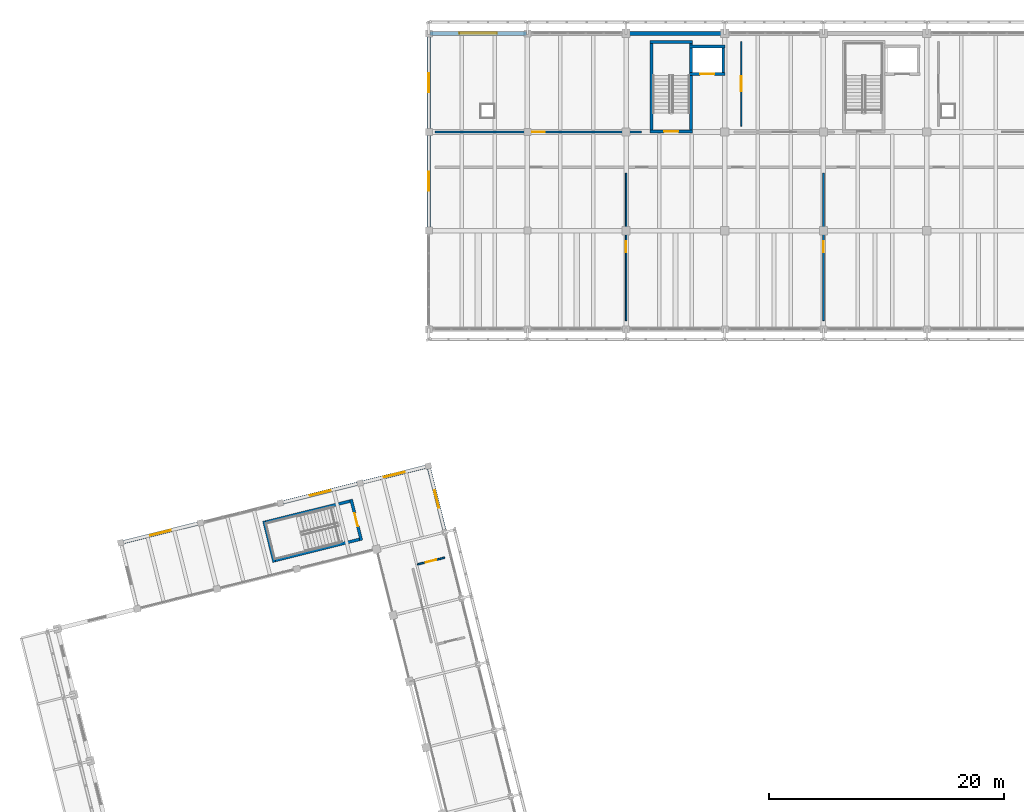
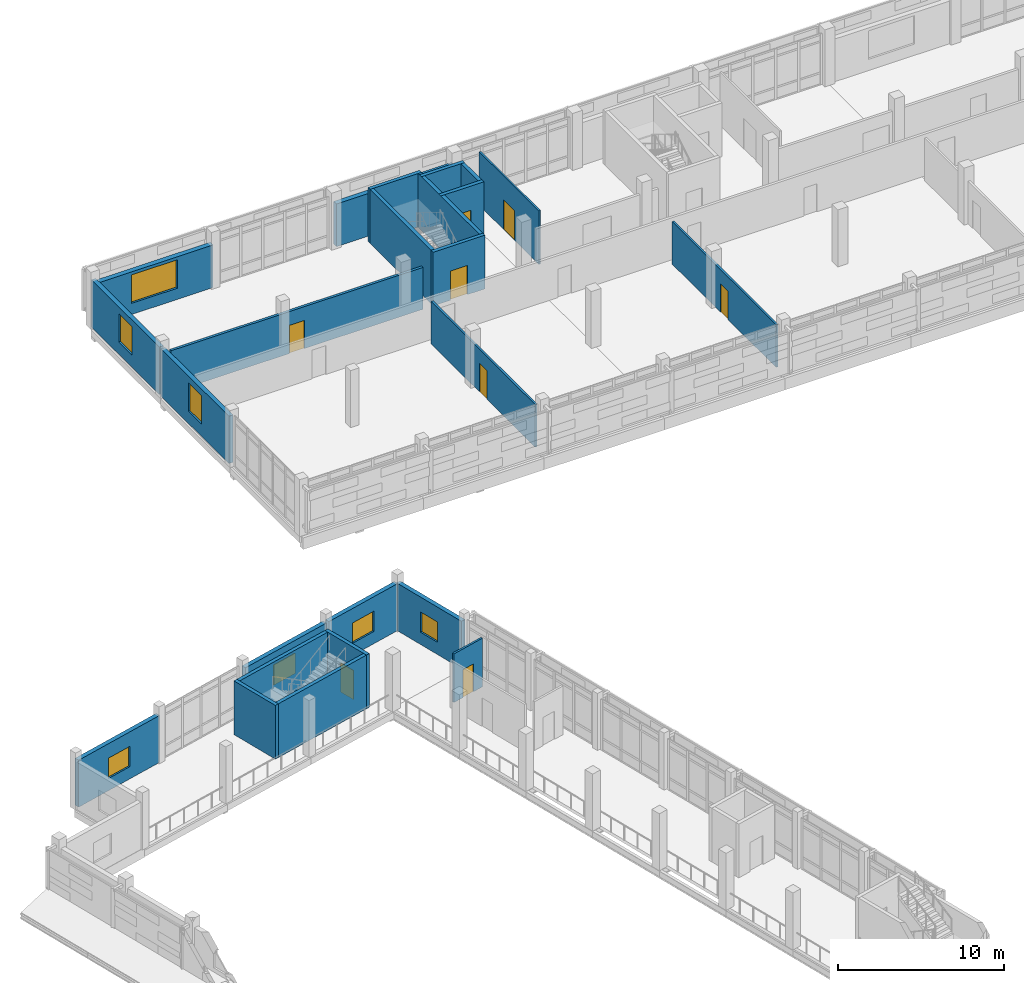
# One storey, part 109 of 137: 24 walls, 8 doors, 7 windows, 15 openings.
"""IFC4 building model written with IfcOpenShell, lengths in metres."""

from ifc_helpers import new_model, si_unit, direction, frame, frame_2d, origin, place, context, subcontext, project, spatial, rectangle, extrude, material, layer, layer_set, type_object, element, fill, save


model = new_model("IFC4")

# Units and contexts
model_context = context("Model", 3, precision=1e-05, world=origin(), true_north=direction((0.0, 1.0)))
body_context = subcontext(model_context, "Body", "Model", "MODEL_VIEW")
ifc_project = project(units=[si_unit("LENGTHUNIT", "METRE"), si_unit("AREAUNIT", "SQUARE_METRE"), si_unit("VOLUMEUNIT", "CUBIC_METRE"), si_unit("PLANEANGLEUNIT", "RADIAN"), si_unit("MASSUNIT", "GRAM", prefix="KILO")], contexts=[model_context])

# Site, building, storey
site_placement = place(None, origin())
site = spatial("IfcSite", under=ifc_project, at=site_placement, CompositionType="ELEMENT")
building_placement = place(site_placement, origin())
building = spatial("IfcBuilding", under=site, at=building_placement, Name="Cinderway Yard Community Centre", CompositionType="ELEMENT")
storey_placement = place(building_placement, frame((0.0, 0.0, 4.800048828125)))
storey = spatial("IfcBuildingStorey", under=building, at=storey_placement, Name="L01", CompositionType="ELEMENT", Elevation=4.800048828125)

# Wall, opening, window
ifc_material_1 = material(Name="Brick Masonry", Category="masonry")
ifc_layer_1 = layer(ifc_material_1, 0.300048828125, Name="Brick Masonry")
ifc_layer_set_1 = layer_set([ifc_layer_1], Name="Brick Masonry")
wall_type_1 = type_object("IfcWallType", Name="ENV-WAL-EXT300", PredefinedType="SOLIDWALL", material=ifc_layer_set_1)
wall_1_placement = place(storey_placement, frame((42.9580078125, 72.81396484375, 0.0), z_axis=(0.0, 0.0, 1.0), x_axis=(-0.242036480393, 0.970267149892, 0.0)))
wall_1 = element("IfcWall", 1, at=wall_1_placement, inside=storey, type_object=wall_type_1, Name="Stage East Wall ENV-WAL-L01-0032", PredefinedType="SOLIDWALL", context=body_context, shape_type="SweptSolid", body=[
    extrude(rectangle(XDim=5.6396484375, YDim=0.300048828125, at=frame_2d((2.81982421875, 0.0))), origin(), (0.0, 0.0, 1.0), 3.494873046875),
])
opening_1_placement = place(wall_1_placement, frame((2.070068359375, 0.0, 0.89990234375)))
opening_1 = element("IfcOpeningElement", 2, at=opening_1_placement, cuts=wall_1, Name="Opening W-02", PredefinedType="OPENING", context=body_context, shape_type="SweptSolid", body=[
    extrude(rectangle(XDim=1.5, YDim=1.5, at=frame_2d((0.75, 0.75))), frame((0.0, 0.159912109375, 0.0), z_axis=(0.0, -1.0, 0.0), x_axis=(1.0, 0.0, 0.0)), (0.0, 0.0, 1.0), 0.320068359375),
])
ifc_material_2 = material(Name="Laminated Low-E Glass", Category="glass")
window_type_1 = type_object("IfcWindowType", Name="ENV-WIN-W02", PartitioningType="DOUBLE_PANEL_VERTICAL", PredefinedType="WINDOW", material=ifc_material_2)
window_1_placement = place(opening_1_placement, origin())
window_1 = element("IfcWindow", 3, at=window_1_placement, inside=storey, type_object=window_type_1, Name="Exterior window ENV-WIN-L01-0017", OverallHeight=1.5, OverallWidth=1.5, PartitioningType="SINGLE_PANEL", PredefinedType="WINDOW", context=body_context, shape_type="SweptSolid", body=[
    extrude(rectangle(XDim=1.5, YDim=1.5, at=frame_2d((0.75, 0.75))), frame((0.0, 0.030029296875, 0.0), z_axis=(0.0, -1.0, 0.0), x_axis=(1.0, 0.0, 0.0)), (0.0, 0.0, 1.0), 0.06005859375),
])
fill(opening_1, window_1)

wall_2_placement = place(storey_placement, frame((15.472900390625, 71.85595703125, 0.0), z_axis=(0.0, 0.0, 1.0), x_axis=(0.970298579828, 0.24191045034, 0.0)))
wall_2 = element("IfcWall", 4, at=wall_2_placement, inside=storey, type_object=wall_type_1, Name="Stage North Wall ENV-WAL-L01-0033", PredefinedType="SOLIDWALL", context=body_context, shape_type="SweptSolid", body=[
    extrude(rectangle(XDim=6.800048828125, YDim=0.300048828125, at=frame_2d((3.39990234375, 0.0))), origin(), (0.0, 0.0, 1.0), 3.46484375),
])
opening_2_placement = place(wall_2_placement, frame((2.5, 0.0, 0.89990234375)))
opening_2 = element("IfcOpeningElement", 5, at=opening_2_placement, cuts=wall_2, Name="Opening W-03", PredefinedType="OPENING", context=body_context, shape_type="SweptSolid", body=[
    extrude(rectangle(XDim=1.800048828125, YDim=1.5, at=frame_2d((0.89990234375, 0.75))), frame((0.0, 0.159912109375, 0.0), z_axis=(0.0, -1.0, 0.0), x_axis=(1.0, 0.0, 0.0)), (0.0, 0.0, 1.0), 0.320068359375),
])
window_type_2 = type_object("IfcWindowType", Name="ENV-WIN-W03", PartitioningType="DOUBLE_PANEL_VERTICAL", PredefinedType="WINDOW", material=ifc_material_2)
window_2_placement = place(opening_2_placement, origin())
window_2 = element("IfcWindow", 6, at=window_2_placement, inside=storey, type_object=window_type_2, Name="Exterior window ENV-WIN-L01-0018", OverallHeight=1.5, OverallWidth=1.800048828125, PartitioningType="SINGLE_PANEL", PredefinedType="WINDOW", context=body_context, shape_type="SweptSolid", body=[
    extrude(rectangle(XDim=1.800048828125, YDim=1.5, at=frame_2d((0.89990234375, 0.75))), frame((0.0, 0.030029296875, 0.0), z_axis=(0.0, -1.0, 0.0), x_axis=(1.0, 0.0, 0.0)), (0.0, 0.0, 1.0), 0.06005859375),
])
fill(opening_2, window_2)

wall_3_placement = place(storey_placement, frame((29.05810546875, 75.242919921875, 0.0), z_axis=(0.0, 0.0, 1.0), x_axis=(0.970296478685, 0.241918877831, 0.0)))
wall_3 = element("IfcWall", 7, at=wall_3_placement, inside=storey, type_object=wall_type_1, Name="Stage North Wall ENV-WAL-L01-0034", PredefinedType="SOLIDWALL", context=body_context, shape_type="SweptSolid", body=[
    extrude(rectangle(XDim=6.7998046875, YDim=0.300048828125, at=frame_2d((3.39990234375, 0.0))), origin(), (0.0, 0.0, 1.0), 3.46484375),
])
opening_3_placement = place(wall_3_placement, frame((2.5, 0.0, 0.89990234375)))
opening_3 = element("IfcOpeningElement", 8, at=opening_3_placement, cuts=wall_3, Name="Opening W-03", PredefinedType="OPENING", context=body_context, shape_type="SweptSolid", body=[
    extrude(rectangle(XDim=1.800048828125, YDim=1.5, at=frame_2d((0.89990234375, 0.75))), frame((0.0, 0.159912109375, 0.0), z_axis=(0.0, -1.0, 0.0), x_axis=(1.0, 0.0, 0.0)), (0.0, 0.0, 1.0), 0.320068359375),
])
window_3_placement = place(opening_3_placement, origin())
window_3 = element("IfcWindow", 9, at=window_3_placement, inside=storey, type_object=window_type_2, Name="Exterior window ENV-WIN-L01-0019", OverallHeight=1.5, OverallWidth=1.800048828125, PartitioningType="SINGLE_PANEL", PredefinedType="WINDOW", context=body_context, shape_type="SweptSolid", body=[
    extrude(rectangle(XDim=1.800048828125, YDim=1.5, at=frame_2d((0.89990234375, 0.75))), frame((0.0, 0.030029296875, 0.0), z_axis=(0.0, -1.0, 0.0), x_axis=(1.0, 0.0, 0.0)), (0.0, 0.0, 1.0), 0.06005859375),
])
fill(opening_3, window_3)

wall_4_placement = place(storey_placement, frame((35.85009765625, 76.93701171875, 0.0), z_axis=(0.0, 0.0, 1.0), x_axis=(0.97029090175, 0.241941244896, 0.0)))
wall_4 = element("IfcWall", 10, at=wall_4_placement, inside=storey, type_object=wall_type_1, Name="Stage North Wall ENV-WAL-L01-0035", PredefinedType="SOLIDWALL", context=body_context, shape_type="SweptSolid", body=[
    extrude(rectangle(XDim=5.79931640625, YDim=0.300048828125, at=frame_2d((2.899658203125, 0.0))), origin(), (0.0, 0.0, 1.0), 3.46484375),
])
opening_4_placement = place(wall_4_placement, frame((2.0, 0.0, 0.89990234375)))
opening_4 = element("IfcOpeningElement", 11, at=opening_4_placement, cuts=wall_4, Name="Opening W-03", PredefinedType="OPENING", context=body_context, shape_type="SweptSolid", body=[
    extrude(rectangle(XDim=1.800048828125, YDim=1.5, at=frame_2d((0.89990234375, 0.75))), frame((0.0, 0.159912109375, 0.0), z_axis=(0.0, -1.0, 0.0), x_axis=(1.0, 0.0, 0.0)), (0.0, 0.0, 1.0), 0.320068359375),
])
window_4_placement = place(opening_4_placement, origin())
window_4 = element("IfcWindow", 12, at=window_4_placement, inside=storey, type_object=window_type_2, Name="Exterior window ENV-WIN-L01-0020", OverallHeight=1.5, OverallWidth=1.800048828125, PartitioningType="SINGLE_PANEL", PredefinedType="WINDOW", context=body_context, shape_type="SweptSolid", body=[
    extrude(rectangle(XDim=1.800048828125, YDim=1.5, at=frame_2d((0.89990234375, 0.75))), frame((0.0, 0.030029296875, 0.0), z_axis=(0.0, -1.0, 0.0), x_axis=(1.0, 0.0, 0.0)), (0.0, 0.0, 1.0), 0.06005859375),
])
fill(opening_4, window_4)

wall_5_placement = place(storey_placement, frame((41.60009765625, 98.5, 0.0), z_axis=(0.0, 0.0, 1.0), x_axis=(0.0, 1.0, 0.0)))
wall_5 = element("IfcWall", 13, at=wall_5_placement, inside=storey, type_object=wall_type_1, Name="V4 West End Wall ENV-WAL-L01-0152", PredefinedType="SOLIDWALL", context=body_context, shape_type="SweptSolid", body=[
    extrude(rectangle(XDim=8.199951171875, YDim=0.300048828125, at=frame_2d((4.10009765625, 0.0))), origin(), (0.0, 0.0, 1.0), 3.494873046875),
])
opening_5_placement = place(wall_5_placement, frame((3.300048828125, 0.0, 0.89990234375)))
opening_5 = element("IfcOpeningElement", 14, at=opening_5_placement, cuts=wall_5, Name="Opening W-14", PredefinedType="OPENING", context=body_context, shape_type="SweptSolid", body=[
    extrude(rectangle(XDim=1.60009765625, YDim=2.10009765625, at=frame_2d((0.800048828125, 1.050048828125))), frame((0.0, 0.159912109375, 0.0), z_axis=(0.0, -1.0, 0.0), x_axis=(1.0, 0.0, 0.0)), (0.0, 0.0, 1.0), 0.320068359375),
])
window_type_3 = type_object("IfcWindowType", Name="ENV-WIN-W14", PartitioningType="DOUBLE_PANEL_VERTICAL", PredefinedType="WINDOW", material=ifc_material_2)
window_5_placement = place(opening_5_placement, origin())
window_5 = element("IfcWindow", 15, at=window_5_placement, inside=storey, type_object=window_type_3, Name="Exterior window ENV-WIN-L01-0103", OverallHeight=2.10009765625, OverallWidth=1.60009765625, PartitioningType="SINGLE_PANEL", PredefinedType="WINDOW", context=body_context, shape_type="SweptSolid", body=[
    extrude(rectangle(XDim=1.60009765625, YDim=2.10009765625, at=frame_2d((0.800048828125, 1.050048828125))), frame((0.0, 0.030029296875, 0.0), z_axis=(0.0, -1.0, 0.0), x_axis=(1.0, 0.0, 0.0)), (0.0, 0.0, 1.0), 0.06005859375),
])
fill(opening_5, window_5)

wall_6_placement = place(storey_placement, frame((41.60009765625, 106.89990234375, 0.0), z_axis=(0.0, 0.0, 1.0), x_axis=(0.0, 1.0, 0.0)))
wall_6 = element("IfcWall", 16, at=wall_6_placement, inside=storey, type_object=wall_type_1, Name="V4 West End Wall ENV-WAL-L01-0153", PredefinedType="SOLIDWALL", context=body_context, shape_type="SweptSolid", body=[
    extrude(rectangle(XDim=8.2001953125, YDim=0.300048828125, at=frame_2d((4.10009765625, 0.0))), origin(), (0.0, 0.0, 1.0), 3.494873046875),
])
opening_6_placement = place(wall_6_placement, frame((3.300048828125, 0.0, 0.89990234375)))
opening_6 = element("IfcOpeningElement", 17, at=opening_6_placement, cuts=wall_6, Name="Opening W-14", PredefinedType="OPENING", context=body_context, shape_type="SweptSolid", body=[
    extrude(rectangle(XDim=1.60009765625, YDim=2.10009765625, at=frame_2d((0.800048828125, 1.050048828125))), frame((0.0, 0.159912109375, 0.0), z_axis=(0.0, -1.0, 0.0), x_axis=(1.0, 0.0, 0.0)), (0.0, 0.0, 1.0), 0.320068359375),
])
window_6_placement = place(opening_6_placement, origin())
window_6 = element("IfcWindow", 18, at=window_6_placement, inside=storey, type_object=window_type_3, Name="Exterior window ENV-WIN-L01-0104", OverallHeight=2.10009765625, OverallWidth=1.60009765625, PartitioningType="SINGLE_PANEL", PredefinedType="WINDOW", context=body_context, shape_type="SweptSolid", body=[
    extrude(rectangle(XDim=1.60009765625, YDim=2.10009765625, at=frame_2d((0.800048828125, 1.050048828125))), frame((0.0, 0.030029296875, 0.0), z_axis=(0.0, -1.0, 0.0), x_axis=(1.0, 0.0, 0.0)), (0.0, 0.0, 1.0), 0.06005859375),
])
fill(opening_6, window_6)

ifc_layer_2 = layer(ifc_material_1, 0.340087890625, Name="Brick Masonry")
ifc_layer_set_2 = layer_set([ifc_layer_2], Name="Brick Masonry")
wall_type_2 = type_object("IfcWallType", Name="ENV-WAL-EXT340", PredefinedType="SOLIDWALL", material=ifc_layer_set_2)
wall_7_placement = place(storey_placement, frame((41.699951171875, 115.199951171875, 0.0), z_axis=(0.0, 0.0, 1.0), x_axis=(1.0, 0.0, 0.0)))
wall_7 = element("IfcWall", 19, at=wall_7_placement, inside=storey, type_object=wall_type_2, Name="V4 Street Brick Facade Wall ENV-WAL-L01-0146", PredefinedType="SOLIDWALL", context=body_context, shape_type="SweptSolid", body=[
    extrude(rectangle(XDim=8.199951171875, YDim=0.340087890625, at=frame_2d((4.10009765625, 0.0))), origin(), (0.0, 0.0, 1.0), 3.14501953125),
])
opening_7_placement = place(wall_7_placement, frame((2.5, 0.0, 0.824951171875)))
opening_7 = element("IfcOpeningElement", 20, at=opening_7_placement, cuts=wall_7, Name="Opening W-18", PredefinedType="OPENING", context=body_context, shape_type="SweptSolid", body=[
    extrude(rectangle(XDim=3.199951171875, YDim=2.10009765625, at=frame_2d((1.60009765625, 1.050048828125))), frame((0.0, 0.179931640625, 0.0), z_axis=(0.0, -1.0, 0.0), x_axis=(1.0, 0.0, 0.0)), (0.0, 0.0, 1.0), 0.360107421875),
])
window_type_4 = type_object("IfcWindowType", Name="ENV-WIN-W18", PartitioningType="TRIPLE_PANEL_VERTICAL", PredefinedType="WINDOW", material=ifc_material_2)
window_7_placement = place(opening_7_placement, origin())
window_7 = element("IfcWindow", 21, at=window_7_placement, inside=storey, type_object=window_type_4, Name="Exterior window ENV-WIN-L01-0101", OverallHeight=2.10009765625, OverallWidth=3.199951171875, PartitioningType="SINGLE_PANEL", PredefinedType="WINDOW", context=body_context, shape_type="SweptSolid", body=[
    extrude(rectangle(XDim=3.199951171875, YDim=2.10009765625, at=frame_2d((1.60009765625, 1.050048828125))), frame((0.0, 0.030029296875, 0.0), z_axis=(0.0, -1.0, 0.0), x_axis=(1.0, 0.0, 0.0)), (0.0, 0.0, 1.0), 0.06005859375),
])
fill(opening_7, window_7)

# Wall
wall_8_placement = place(storey_placement, frame((58.5, 115.199951171875, 0.0), z_axis=(0.0, 0.0, 1.0), x_axis=(1.0, 0.0, 0.0)))
element("IfcWall", 22, at=wall_8_placement, inside=storey, type_object=wall_type_2, Name="V4 Street Brick Facade Wall ENV-WAL-L01-0147", PredefinedType="SOLIDWALL", context=body_context, shape_type="SweptSolid", body=[
    extrude(rectangle(XDim=8.199951171875, YDim=0.340087890625, at=frame_2d((4.10009765625, 0.0))), origin(), (0.0, 0.0, 1.0), 3.14501953125),
])

# Wall, opening, door
ifc_material_3 = material(Name="Gypsum Board Partition", Category="gypsum")
ifc_layer_3 = layer(ifc_material_3, 0.1201171875, Name="Gypsum Board Partition")
ifc_layer_set_3 = layer_set([ifc_layer_3], Name="Gypsum Board Partition")
wall_type_3 = type_object("IfcWallType", Name="INT-WAL-PRT120", PredefinedType="PARTITIONING", material=ifc_layer_set_3)
wall_9_placement = place(storey_placement, frame((68.199951171875, 107.300048828125, 0.0), z_axis=(0.0, 0.0, 1.0), x_axis=(0.0, 1.0, 0.0)))
wall_9 = element("IfcWall", 23, at=wall_9_placement, inside=storey, type_object=wall_type_3, Name="V4 L01 North Room Partition INT-PRT-L01-0302", PredefinedType="PARTITIONING", context=body_context, shape_type="SweptSolid", body=[
    extrude(rectangle(XDim=7.199951171875, YDim=0.1201171875, at=frame_2d((3.60009765625, 0.0))), origin(), (0.0, 0.0, 1.0), 3.945068359375),
])
opening_8_placement = place(wall_9_placement, frame((2.949951171875, 0.0, 0.0)))
opening_8 = element("IfcOpeningElement", 24, at=opening_8_placement, cuts=wall_9, Name="Opening D-12", PredefinedType="OPENING", context=body_context, shape_type="SweptSolid", body=[
    extrude(rectangle(XDim=1.300048828125, YDim=2.199951171875, at=frame_2d((0.64990234375, 1.10009765625))), frame((0.0, 0.070068359375, 0.0), z_axis=(0.0, -1.0, 0.0), x_axis=(1.0, 0.0, 0.0)), (0.0, 0.0, 1.0), 0.14013671875),
])
ifc_material_4 = material(Name="Painted Galvanised Steel", Category="steel")
door_type_1 = type_object("IfcDoorType", Name="INT-DOR-PLT130", OperationType="NOTDEFINED", PredefinedType="DOOR", material=ifc_material_4)
door_1_placement = place(opening_8_placement, origin())
door_1 = element("IfcDoor", 25, at=door_1_placement, inside=storey, type_object=door_type_1, Name="Room door INT-DOR-L01-0192", OperationType="SINGLE_SWING_RIGHT", OverallHeight=2.199951171875, OverallWidth=1.300048828125, PredefinedType="DOOR", context=body_context, shape_type="SweptSolid", body=[
    extrude(rectangle(XDim=1.300048828125, YDim=2.199951171875, at=frame_2d((0.64990234375, 1.10009765625))), frame((0.0, 0.02490234375, 0.0), z_axis=(0.0, -1.0, 0.0), x_axis=(1.0, 0.0, 0.0)), (0.0, 0.0, 1.0), 0.050048828125),
])
fill(opening_8, door_1)

ifc_layer_4 = layer(ifc_material_3, 0.139892578125, Name="Gypsum Board Partition")
ifc_layer_set_4 = layer_set([ifc_layer_4], Name="Gypsum Board Partition")
wall_type_4 = type_object("IfcWallType", Name="INT-WAL-PRT140", PredefinedType="PARTITIONING", material=ifc_layer_set_4)
wall_10_placement = place(storey_placement, frame((40.6240234375, 69.985107421875, 0.0), z_axis=(0.0, 0.0, 1.0), x_axis=(0.970327865017, 0.241792957656, 0.0)))
wall_10 = element("IfcWall", 26, at=wall_10_placement, inside=storey, type_object=wall_type_4, Name="V1 Gallery Sanitary Partition INT-PRT-L01-0245", PredefinedType="PARTITIONING", context=body_context, shape_type="SweptSolid", body=[
    extrude(rectangle(XDim=2.39794921875, YDim=0.139892578125, at=frame_2d((1.198974609375, 0.0))), origin(), (0.0, 0.0, 1.0), 3.5869140625),
])
opening_9_placement = place(wall_10_placement, frame((0.7490234375, 0.0, 0.0)))
opening_9 = element("IfcOpeningElement", 27, at=opening_9_placement, cuts=wall_10, Name="Opening D-10", PredefinedType="OPENING", context=body_context, shape_type="SweptSolid", body=[
    extrude(rectangle(XDim=0.89990234375, YDim=2.06005859375, at=frame_2d((0.449951171875, 1.030029296875))), frame((0.0, 0.079833984375, 0.0), z_axis=(0.0, -1.0, 0.0), x_axis=(1.0, 0.0, 0.0)), (0.0, 0.0, 1.0), 0.159912109375),
])
ifc_material_5 = material(Name="Hardwood Timber", Category="wood")
door_type_2 = type_object("IfcDoorType", Name="INT-DOR-SAN090", OperationType="NOTDEFINED", PredefinedType="DOOR", material=ifc_material_5)
door_2_placement = place(opening_9_placement, origin())
door_2 = element("IfcDoor", 28, at=door_2_placement, inside=storey, type_object=door_type_2, Name="Room door INT-DOR-L01-0156", OperationType="SINGLE_SWING_RIGHT", OverallHeight=2.06005859375, OverallWidth=0.89990234375, PredefinedType="DOOR", context=body_context, shape_type="SweptSolid", body=[
    extrude(rectangle(XDim=0.89990234375, YDim=2.06005859375, at=frame_2d((0.449951171875, 1.030029296875))), frame((0.0, 0.02490234375, 0.0), z_axis=(0.0, -1.0, 0.0), x_axis=(1.0, 0.0, 0.0)), (0.0, 0.0, 1.0), 0.050048828125),
])
fill(opening_9, door_2)

wall_11_placement = place(storey_placement, frame((58.39990234375, 90.75, 0.0), z_axis=(0.0, 0.0, 1.0), x_axis=(0.0, 1.0, 0.0)))
wall_11 = element("IfcWall", 29, at=wall_11_placement, inside=storey, type_object=wall_type_4, Name="V4 L01 South Room Partition INT-PRT-L01-0297", PredefinedType="PARTITIONING", context=body_context, shape_type="SweptSolid", body=[
    extrude(rectangle(XDim=12.550048828125, YDim=0.139892578125, at=frame_2d((6.27490234375, 0.0))), origin(), (0.0, 0.0, 1.0), 3.14501953125),
])
opening_10_placement = place(wall_11_placement, frame((5.800048828125, 0.0, 0.0)))
opening_10 = element("IfcOpeningElement", 30, at=opening_10_placement, cuts=wall_11, Name="Opening D-07", PredefinedType="OPENING", context=body_context, shape_type="SweptSolid", body=[
    extrude(rectangle(XDim=0.949951171875, YDim=2.1201171875, at=frame_2d((0.47509765625, 1.06005859375))), frame((0.0, 0.079833984375, 0.0), z_axis=(0.0, -1.0, 0.0), x_axis=(1.0, 0.0, 0.0)), (0.0, 0.0, 1.0), 0.159912109375),
])
door_type_3 = type_object("IfcDoorType", Name="INT-DOR-OFF095", OperationType="NOTDEFINED", PredefinedType="DOOR", material=ifc_material_5)
door_3_placement = place(opening_10_placement, origin())
door_3 = element("IfcDoor", 31, at=door_3_placement, inside=storey, type_object=door_type_3, Name="Room door INT-DOR-L01-0187", OperationType="SINGLE_SWING_LEFT", OverallHeight=2.1201171875, OverallWidth=0.949951171875, PredefinedType="DOOR", context=body_context, shape_type="SweptSolid", body=[
    extrude(rectangle(XDim=0.949951171875, YDim=2.1201171875, at=frame_2d((0.47509765625, 1.06005859375))), frame((0.0, 0.02490234375, 0.0), z_axis=(0.0, -1.0, 0.0), x_axis=(1.0, 0.0, 0.0)), (0.0, 0.0, 1.0), 0.050048828125),
])
fill(opening_10, door_3)

wall_12_placement = place(storey_placement, frame((75.199951171875, 90.75, 0.0), z_axis=(0.0, 0.0, 1.0), x_axis=(0.0, 1.0, 0.0)))
wall_12 = element("IfcWall", 32, at=wall_12_placement, inside=storey, type_object=wall_type_4, Name="V4 L01 South Room Partition INT-PRT-L01-0298", PredefinedType="PARTITIONING", context=body_context, shape_type="SweptSolid", body=[
    extrude(rectangle(XDim=12.550048828125, YDim=0.139892578125, at=frame_2d((6.27490234375, 0.0))), origin(), (0.0, 0.0, 1.0), 3.14501953125),
])
opening_11_placement = place(wall_12_placement, frame((5.81494140625, 0.0, 0.0)))
opening_11 = element("IfcOpeningElement", 33, at=opening_11_placement, cuts=wall_12, Name="Opening D-08", PredefinedType="OPENING", context=body_context, shape_type="SweptSolid", body=[
    extrude(rectangle(XDim=0.919921875, YDim=2.10009765625, at=frame_2d((0.4599609375, 1.050048828125))), frame((0.0, 0.079833984375, 0.0), z_axis=(0.0, -1.0, 0.0), x_axis=(1.0, 0.0, 0.0)), (0.0, 0.0, 1.0), 0.159912109375),
])
door_type_4 = type_object("IfcDoorType", Name="INT-DOR-OFF092", OperationType="NOTDEFINED", PredefinedType="DOOR", material=ifc_material_5)
door_4_placement = place(opening_11_placement, origin())
door_4 = element("IfcDoor", 34, at=door_4_placement, inside=storey, type_object=door_type_4, Name="Room door INT-DOR-L01-0188", OperationType="SINGLE_SWING_RIGHT", OverallHeight=2.10009765625, OverallWidth=0.919921875, PredefinedType="DOOR", context=body_context, shape_type="SweptSolid", body=[
    extrude(rectangle(XDim=0.919921875, YDim=2.10009765625, at=frame_2d((0.4599609375, 1.050048828125))), frame((0.0, 0.02490234375, 0.0), z_axis=(0.0, -1.0, 0.0), x_axis=(1.0, 0.0, 0.0)), (0.0, 0.0, 1.0), 0.050048828125),
])
fill(opening_11, door_4)

ifc_layer_5 = layer(ifc_material_1, 0.179931640625, Name="Brick Masonry")
ifc_layer_set_5 = layer_set([ifc_layer_5], Name="Brick Masonry")
wall_type_5 = type_object("IfcWallType", Name="INT-WAL-PRT180", PredefinedType="PARTITIONING", material=ifc_layer_set_5)
wall_13_placement = place(storey_placement, frame((42.14990234375, 106.800048828125, 0.0), z_axis=(0.0, 0.0, 1.0), x_axis=(1.0, 0.0, 0.0)))
wall_13 = element("IfcWall", 35, at=wall_13_placement, inside=storey, type_object=wall_type_5, Name="V4 L01 North Corridor Spine INT-PRT-L01-0292", PredefinedType="PARTITIONING", context=body_context, shape_type="SweptSolid", body=[
    extrude(rectangle(XDim=17.580078125, YDim=0.179931640625, at=frame_2d((8.7900390625, 0.0))), origin(), (0.0, 0.0, 1.0), 3.093994140625),
])
opening_12_placement = place(wall_13_placement, frame((8.27001953125, 0.0, 0.0)))
opening_12 = element("IfcOpeningElement", 36, at=opening_12_placement, cuts=wall_13, Name="Opening D-17", PredefinedType="OPENING", context=body_context, shape_type="SweptSolid", body=[
    extrude(rectangle(XDim=1.0400390625, YDim=2.080078125, at=frame_2d((0.52001953125, 1.0400390625))), frame((0.0, 0.099853515625, 0.0), z_axis=(0.0, -1.0, 0.0), x_axis=(1.0, 0.0, 0.0)), (0.0, 0.0, 1.0), 0.199951171875),
])
door_type_5 = type_object("IfcDoorType", Name="INT-DOR-NUR104", OperationType="NOTDEFINED", PredefinedType="DOOR", material=ifc_material_5)
door_5_placement = place(opening_12_placement, origin())
door_5 = element("IfcDoor", 37, at=door_5_placement, inside=storey, type_object=door_type_5, Name="Room door INT-DOR-L01-0180", OperationType="SINGLE_SWING_RIGHT", OverallHeight=2.080078125, OverallWidth=1.0400390625, PredefinedType="DOOR", context=body_context, shape_type="SweptSolid", body=[
    extrude(rectangle(XDim=1.0400390625, YDim=2.080078125, at=frame_2d((0.52001953125, 1.0400390625))), frame((0.0, 0.02490234375, 0.0), z_axis=(0.0, -1.0, 0.0), x_axis=(1.0, 0.0, 0.0)), (0.0, 0.0, 1.0), 0.050048828125),
])
fill(opening_12, door_5)

ifc_material_6 = material(Name="Concrete C40/50", Category="concrete")
ifc_layer_6 = layer(ifc_material_6, 0.25, Name="Concrete C40/50")
ifc_layer_set_6 = layer_set([ifc_layer_6], Name="Concrete C40/50")
wall_type_6 = type_object("IfcWallType", Name="INT-WAL-SHR250", PredefinedType="SHEAR", material=ifc_layer_set_6)
wall_14_placement = place(storey_placement, frame((64.044921875, 106.830078125, 0.0), z_axis=(0.0, 0.0, 1.0), x_axis=(-1.0, 0.0, 0.0)))
wall_14 = element("IfcWall", 38, at=wall_14_placement, inside=storey, type_object=wall_type_6, Name="Stair ST-01 Entry Wall INT-WAL-L01-0005", PredefinedType="SHEAR", context=body_context, shape_type="SweptSolid", body=[
    extrude(rectangle(XDim=3.60986328125, YDim=0.25, at=frame_2d((1.804931640625, 0.0))), origin(), (0.0, 0.0, 1.0), 3.9599609375),
])
opening_13_placement = place(wall_14_placement, frame((1.205078125, 0.0, 0.0)))
opening_13 = element("IfcOpeningElement", 39, at=opening_13_placement, cuts=wall_14, Name="Opening D-ST1", PredefinedType="OPENING", context=body_context, shape_type="SweptSolid", body=[
    extrude(rectangle(XDim=1.199951171875, YDim=2.14990234375, at=frame_2d((0.60009765625, 1.074951171875))), frame((0.0, 0.135009765625, 0.0), z_axis=(0.0, -1.0, 0.0), x_axis=(1.0, 0.0, 0.0)), (0.0, 0.0, 1.0), 0.27001953125),
])
door_type_6 = type_object("IfcDoorType", Name="INT-DOR-ST120", OperationType="NOTDEFINED", PredefinedType="DOOR", material=ifc_material_4)
door_6_placement = place(opening_13_placement, origin())
door_6 = element("IfcDoor", 40, at=door_6_placement, inside=storey, type_object=door_type_6, Name="Core door INT-DOR-L01-0002", OperationType="SINGLE_SWING_RIGHT", OverallHeight=2.14990234375, OverallWidth=1.199951171875, PredefinedType="DOOR", context=body_context, shape_type="SweptSolid", body=[
    extrude(rectangle(XDim=1.199951171875, YDim=2.14990234375, at=frame_2d((0.60009765625, 1.074951171875))), frame((0.0, 0.02490234375, 0.0), z_axis=(0.0, -1.0, 0.0), x_axis=(1.0, 0.0, 0.0)), (0.0, 0.0, 1.0), 0.050048828125),
])
fill(opening_13, door_6)

# Walls
wall_15_placement = place(storey_placement, frame((60.43505859375, 114.469970703125, 0.0), z_axis=(0.0, 0.0, 1.0), x_axis=(1.0, 0.0, 0.0)))
element("IfcWall", 41, at=wall_15_placement, inside=storey, type_object=wall_type_6, Name="Stair ST-01 Back Wall INT-WAL-L01-0006", PredefinedType="SHEAR", context=body_context, shape_type="SweptSolid", body=[
    extrude(rectangle(XDim=3.60986328125, YDim=0.25, at=frame_2d((1.804931640625, 0.0))), origin(), (0.0, 0.0, 1.0), 3.9599609375),
])
for number, where, z_axis, x_axis, name in (
    (42, (60.56005859375, 106.955078125, 0.0), (0.0, 0.0, 1.0), (0.0, 1.0, 0.0), "Stair ST-01 Side Wall L INT-WAL-L01-0007"),
    (43, (63.919921875, 114.344970703125, 0.0), (0.0, 0.0, 1.0), (0.0, -1.0, 0.0), "Stair ST-01 Side Wall R INT-WAL-L01-0008"),
):
    element("IfcWall", number, at=place(storey_placement, frame(where, z_axis=z_axis, x_axis=x_axis)), inside=storey, type_object=wall_type_6, Name=name, PredefinedType="SHEAR", context=body_context, shape_type="SweptSolid", body=[
        extrude(rectangle(XDim=7.389892578125, YDim=0.25, at=frame_2d((3.69482421875, 0.0))), origin(), (0.0, 0.0, 1.0), 3.9599609375),
    ])

# Wall, opening, door
wall_16_placement = place(storey_placement, frame((63.800048828125, 111.72998046875, 0.0), z_axis=(0.0, 0.0, 1.0), x_axis=(1.0, 0.0, 0.0)))
wall_16 = element("IfcWall", 44, at=wall_16_placement, inside=storey, type_object=wall_type_6, Name="Lift LF-01 South Wall INT-WAL-L01-0028", PredefinedType="SHEAR", context=body_context, shape_type="SweptSolid", body=[
    extrude(rectangle(XDim=3.0, YDim=0.25, at=frame_2d((1.5, 0.0))), origin(), (0.0, 0.0, 1.0), 3.9599609375),
])
opening_14_placement = place(wall_16_placement, frame((0.889892578125, 0.0, 0.0)))
opening_14 = element("IfcOpeningElement", 45, at=opening_14_placement, cuts=wall_16, Name="Opening LD-02", PredefinedType="OPENING", context=body_context, shape_type="SweptSolid", body=[
    extrude(rectangle(XDim=1.219970703125, YDim=2.179931640625, at=frame_2d((0.60986328125, 1.08984375))), frame((0.0, 0.135009765625, 0.0), z_axis=(0.0, -1.0, 0.0), x_axis=(1.0, 0.0, 0.0)), (0.0, 0.0, 1.0), 0.27001953125),
])
door_type_7 = type_object("IfcDoorType", Name="INT-DOR-LD02", OperationType="SLIDING_TO_RIGHT", PredefinedType="DOOR", material=ifc_material_4)
door_7_placement = place(opening_14_placement, origin())
door_7 = element("IfcDoor", 46, at=door_7_placement, inside=storey, type_object=door_type_7, Name="Lift landing door INT-DOR-L01-0008", OperationType="SLIDING_TO_RIGHT", OverallHeight=2.179931640625, OverallWidth=1.219970703125, PredefinedType="DOOR", context=body_context, shape_type="SweptSolid", body=[
    extrude(rectangle(XDim=1.219970703125, YDim=2.179931640625, at=frame_2d((0.60986328125, 1.08984375))), frame((0.0, 0.02490234375, 0.0), z_axis=(0.0, -1.0, 0.0), x_axis=(1.0, 0.0, 0.0)), (0.0, 0.0, 1.0), 0.050048828125),
])
fill(opening_14, door_7)

# Walls
wall_17_placement = place(storey_placement, frame((66.800048828125, 114.070068359375, 0.0), z_axis=(0.0, 0.0, 1.0), x_axis=(-1.0, 0.0, 0.0)))
element("IfcWall", 47, at=wall_17_placement, inside=storey, type_object=wall_type_6, Name="Lift LF-01 North Wall INT-WAL-L01-0029", PredefinedType="SHEAR", context=body_context, shape_type="SweptSolid", body=[
    extrude(rectangle(XDim=3.0, YDim=0.25, at=frame_2d((1.5, 0.0))), origin(), (0.0, 0.0, 1.0), 3.9599609375),
])
wall_18_placement = place(storey_placement, frame((66.669921875, 111.860107421875, 0.0), z_axis=(0.0, 0.0, 1.0), x_axis=(0.0, 1.0, 0.0)))
element("IfcWall", 48, at=wall_18_placement, inside=storey, type_object=wall_type_6, Name="Lift LF-01 East Wall INT-WAL-L01-0030", PredefinedType="SHEAR", context=body_context, shape_type="SweptSolid", body=[
    extrude(rectangle(XDim=2.079833984375, YDim=0.25, at=frame_2d((1.0400390625, 0.0))), origin(), (0.0, 0.0, 1.0), 3.9599609375),
])

# Wall, opening, door
wall_19_placement = place(storey_placement, frame((34.98388671875, 75.531005859375, 0.0), z_axis=(0.0, 0.0, 1.0), x_axis=(0.242090083699, -0.97025377679, 0.0)))
wall_19 = element("IfcWall", 49, at=wall_19_placement, inside=storey, type_object=wall_type_6, Name="Stair ST-06 Entry Wall INT-WAL-L01-0153", PredefinedType="SHEAR", context=body_context, shape_type="SweptSolid", body=[
    extrude(rectangle(XDim=3.6103515625, YDim=0.25, at=frame_2d((1.80517578125, 0.0))), origin(), (0.0, 0.0, 1.0), 3.9599609375),
])
opening_15_placement = place(wall_19_placement, frame((1.235107421875, 0.0, 0.0)))
opening_15 = element("IfcOpeningElement", 50, at=opening_15_placement, cuts=wall_19, Name="Opening D-ST2", PredefinedType="OPENING", context=body_context, shape_type="SweptSolid", body=[
    extrude(rectangle(XDim=1.139892578125, YDim=2.14990234375, at=frame_2d((0.56982421875, 1.074951171875))), frame((0.0, 0.135009765625, 0.0), z_axis=(0.0, -1.0, 0.0), x_axis=(1.0, 0.0, 0.0)), (0.0, 0.0, 1.0), 0.27001953125),
])
door_type_8 = type_object("IfcDoorType", Name="INT-DOR-ST114", OperationType="NOTDEFINED", PredefinedType="DOOR", material=ifc_material_4)
door_8_placement = place(opening_15_placement, origin())
door_8 = element("IfcDoor", 51, at=door_8_placement, inside=storey, type_object=door_type_8, Name="Core door INT-DOR-L01-0042", OperationType="SINGLE_SWING_LEFT", OverallHeight=2.14990234375, OverallWidth=1.139892578125, PredefinedType="DOOR", context=body_context, shape_type="SweptSolid", body=[
    extrude(rectangle(XDim=1.139892578125, YDim=2.14990234375, at=frame_2d((0.56982421875, 1.074951171875))), frame((0.0, 0.02490234375, 0.0), z_axis=(0.0, -1.0, 0.0), x_axis=(1.0, 0.0, 0.0)), (0.0, 0.0, 1.0), 0.050048828125),
])
fill(opening_15, door_8)

# Walls
wall_20_placement = place(storey_placement, frame((28.444091796875, 70.179931640625, 0.0), z_axis=(0.0, 0.0, 1.0), x_axis=(-0.241898912952, 0.970301456204, 0.0)))
element("IfcWall", 52, at=wall_20_placement, inside=storey, type_object=wall_type_6, Name="Stair ST-06 Back Wall INT-WAL-L01-0154", PredefinedType="SHEAR", context=body_context, shape_type="SweptSolid", body=[
    extrude(rectangle(XDim=3.609130859375, YDim=0.25, at=frame_2d((1.8046875, 0.0))), origin(), (0.0, 0.0, 1.0), 3.9599609375),
])
wall_21_placement = place(storey_placement, frame((35.7060546875, 72.118896484375, 0.0), z_axis=(0.0, 0.0, 1.0), x_axis=(-0.970299691856, -0.241905989972, 0.0)))
element("IfcWall", 53, at=wall_21_placement, inside=storey, type_object=wall_type_6, Name="Stair ST-06 Side Wall L INT-WAL-L01-0155", PredefinedType="SHEAR", context=body_context, shape_type="SweptSolid", body=[
    extrude(rectangle(XDim=7.390625, YDim=0.25, at=frame_2d((3.6953125, 0.0))), origin(), (0.0, 0.0, 1.0), 3.9599609375),
])
wall_22_placement = place(storey_placement, frame((27.722900390625, 73.591064453125, 0.0), z_axis=(0.0, 0.0, 1.0), x_axis=(0.970291958031, 0.241937008705, 0.0)))
element("IfcWall", 54, at=wall_22_placement, inside=storey, type_object=wall_type_6, Name="Stair ST-06 Side Wall R INT-WAL-L01-0156", PredefinedType="SHEAR", context=body_context, shape_type="SweptSolid", body=[
    extrude(rectangle(XDim=7.3896484375, YDim=0.25, at=frame_2d((3.69482421875, 0.0))), origin(), (0.0, 0.0, 1.0), 3.9599609375),
])

save(model, "model.ifc")
